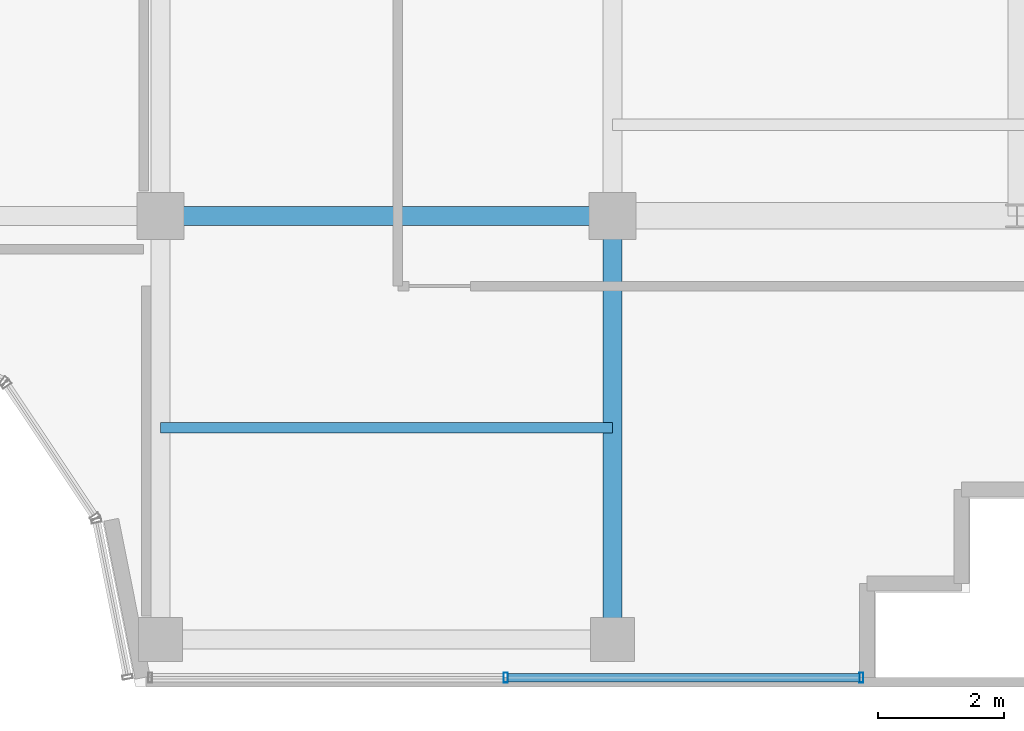
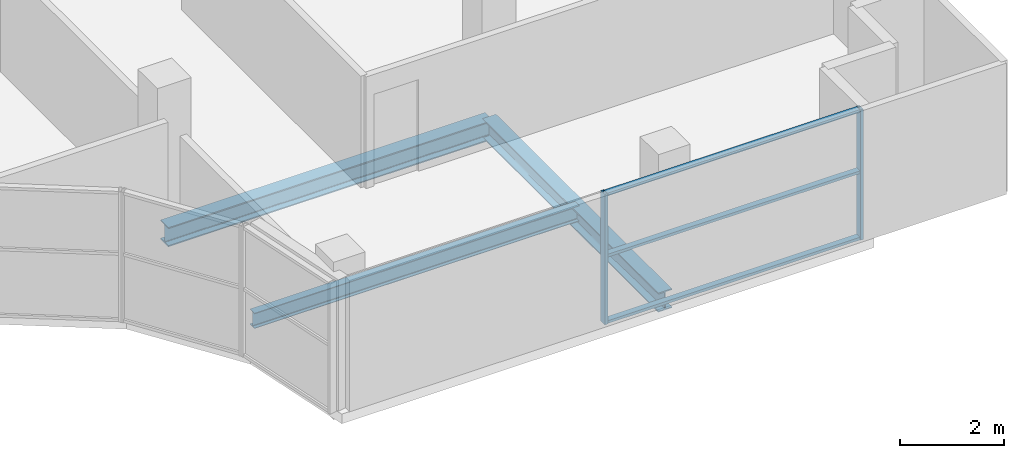
# One storey, part 13 of 29: 5 members, 3 beams, 1 element without a shape of its own.
"""IFC4 building model written with IfcOpenShell, lengths in metres."""

from ifc_helpers import new_model, si_unit, direction, frame, origin, origin_2d, place, context, subcontext, project, spatial, hollow_rectangle, i_section, extrude, source, transform, mapped, material, layer, layer_set, material_profile, profile_set, type_object, element, aggregate, save


model = new_model("IFC4")

# Units and contexts
model_context = context("Model", 3, precision=1e-05, world=origin(), true_north=direction((0.0, 1.0)))
body_context = subcontext(model_context, "Body", "Model", "MODEL_VIEW")
ifc_project = project(units=[si_unit("LENGTHUNIT", "METRE"), si_unit("AREAUNIT", "SQUARE_METRE"), si_unit("VOLUMEUNIT", "CUBIC_METRE"), si_unit("PLANEANGLEUNIT", "RADIAN"), si_unit("MASSUNIT", "GRAM", prefix="KILO")], contexts=[model_context])

# Site, building, storey
site_placement = place(None, origin())
site = spatial("IfcSite", under=ifc_project, at=site_placement, CompositionType="ELEMENT")
building_placement = place(site_placement, origin())
building = spatial("IfcBuilding", under=site, at=building_placement, Name="Zarnakvel Exchange Tower", CompositionType="ELEMENT")
storey_placement = place(building_placement, frame((0.0, 0.0, 258.39990234375)))
storey = spatial("IfcBuildingStorey", under=building, at=storey_placement, Name="L73", CompositionType="ELEMENT", Elevation=258.39990234375)

# Beams
ifc_material_1 = material(Name="Steel S355", Category="steel")
ifc_material_profile_1 = material_profile(ifc_material_1, i_section(OverallWidth=0.169921875, OverallDepth=0.360107421875, WebThickness=0.008056640625, FlangeThickness=0.0126953125, FilletRadius=0.01806640625, at=origin_2d()))
ifc_profile_set_1 = profile_set([ifc_material_profile_1], Name="Steel S355")
beam_type_1 = type_object("IfcBeamType", Name="B-07", PredefinedType="JOIST", material=ifc_profile_set_1)
beam_1_placement = place(storey_placement, frame((7.199951171875, -12.97509765625, -0.40478515625), z_axis=(1.0, 0.0, 0.0), x_axis=(0.0, 1.0, 0.0)))
element("IfcBeam", 1, at=beam_1_placement, inside=storey, type_object=beam_type_1, Name="L73 Composite Floor Secondary Joist", PredefinedType="JOIST", context=body_context, shape_type="SweptSolid", body=[
    extrude(i_section(OverallWidth=0.169921875, OverallDepth=0.360107421875, WebThickness=0.008056640625, FlangeThickness=0.0126953125, FilletRadius=0.01806640625, at=origin_2d()), origin(), (0.0, 0.0, 1.0), 7.199951171875),
])
ifc_material_profile_2 = material_profile(ifc_material_1, i_section(OverallWidth=0.300048828125, OverallDepth=0.449951171875, WebThickness=0.013916015625, FlangeThickness=0.02587890625, FilletRadius=0.027099609375, at=origin_2d()))
ifc_profile_set_2 = profile_set([ifc_material_profile_2], Name="Steel S355")
beam_type_2 = type_object("IfcBeamType", Name="G-07", PredefinedType="BEAM", material=ifc_profile_set_2)
beam_2_placement = place(storey_placement, frame((7.199951171875, -9.60009765625, -0.449951171875), z_axis=(1.0, 0.0, 0.0), x_axis=(0.0, 1.0, 0.0)))
element("IfcBeam", 2, at=beam_2_placement, inside=storey, type_object=beam_type_2, Name="L73 Tower E-W Frame Beam", PredefinedType="BEAM", context=body_context, shape_type="SweptSolid", body=[
    extrude(i_section(OverallWidth=0.300048828125, OverallDepth=0.449951171875, WebThickness=0.013916015625, FlangeThickness=0.02587890625, FilletRadius=0.027099609375, at=origin_2d()), origin(), (0.0, 0.0, 1.0), 7.199951171875),
])
beam_3_placement = place(storey_placement, frame((14.39990234375, -16.35009765625, -0.449951171875), z_axis=(0.0, 1.0, 0.0), x_axis=(-1.0, 0.0, 0.0)))
element("IfcBeam", 3, at=beam_3_placement, inside=storey, type_object=beam_type_2, Name="L73 Tower N-S Frame Beam", PredefinedType="BEAM", context=body_context, shape_type="SweptSolid", body=[
    extrude(i_section(OverallWidth=0.300048828125, OverallDepth=0.449951171875, WebThickness=0.013916015625, FlangeThickness=0.02587890625, FilletRadius=0.027099609375, at=origin_2d()), origin(), (0.0, 0.0, 1.0), 6.75),
])

# Curtain wall, members
ifc_material_2 = material(Name="Architectural Bronze Anodised Aluminium", Category="aluminium")
ifc_layer = layer(ifc_material_2, 0.159912109375)
ifc_layer_set = layer_set([ifc_layer], Name="Architectural Bronze Anodised Aluminium")
curtain_wall_type = type_object("IfcCurtainWallType", Name="CW-06", PredefinedType="NOTDEFINED", material=ifc_layer_set)
curtain_wall_placement = place(storey_placement, origin())
curtain_wall = element("IfcCurtainWall", 4, at=curtain_wall_placement, inside=storey, type_object=curtain_wall_type, Name="L73 Curtain Wall CW-L73-NSE (CW-06)", PredefinedType="NOTDEFINED")
ifc_material_profile_3 = material_profile(ifc_material_2, hollow_rectangle(XDim=0.159912109375, YDim=0.06494140625, WallThickness=0.00390625, at=origin_2d()))
ifc_profile_set_3 = profile_set([ifc_material_profile_3], Name="Architectural Bronze Anodised Aluminium")
member_type_1 = type_object("IfcMemberType", Name="CWM-06", PredefinedType="MULLION", material=ifc_profile_set_3)
shared_shape_1 = source(origin(), body_context, "Body", "SweptSolid", [
    extrude(hollow_rectangle(XDim=0.159912109375, YDim=0.06494140625, WallThickness=0.00390625, at=origin_2d()), origin(), (0.0, 0.0, 1.0), 3.05517578125),
])
member_1_placement = place(storey_placement, frame((12.699951171875, -16.9599609375, 0.0), z_axis=(0.0, 0.0, 1.0), x_axis=(0.0, 1.0, 0.0)))
member_1 = element("IfcMember", 5, at=member_1_placement, type_object=member_type_1, Name="CW-06 mullion 2", PredefinedType="MULLION", context=body_context, shape_type="MappedRepresentation", body=[
    mapped(shared_shape_1, transform((0.0, 0.0, 0.0), x_axis=(1.0, 0.0, 0.0), y_axis=(0.0, 1.0, 0.0), z_axis=(0.0, 0.0, 1.0), scale=1.0)),
])
member_2_placement = place(storey_placement, frame((18.367431640625, -16.9599609375, 0.0), z_axis=(0.0, 0.0, 1.0), x_axis=(0.0, 1.0, 0.0)))
member_2 = element("IfcMember", 6, at=member_2_placement, type_object=member_type_1, Name="CW-06 mullion 3", PredefinedType="MULLION", context=body_context, shape_type="MappedRepresentation", body=[
    mapped(shared_shape_1, transform((0.0, 0.0, 0.0), x_axis=(1.0, 0.0, 0.0), y_axis=(0.0, 1.0, 0.0), z_axis=(0.0, 0.0, 1.0), scale=1.0)),
])
ifc_material_profile_4 = material_profile(ifc_material_2, hollow_rectangle(XDim=0.1298828125, YDim=0.06494140625, WallThickness=0.00390625, at=origin_2d()))
ifc_profile_set_4 = profile_set([ifc_material_profile_4], Name="Architectural Bronze Anodised Aluminium")
member_type_2 = type_object("IfcMemberType", Name="CWT-06", PredefinedType="USERDEFINED", material=ifc_profile_set_4)
shared_shape_2 = source(origin(), body_context, "Body", "SweptSolid", [
    extrude(hollow_rectangle(XDim=0.1298828125, YDim=0.06494140625, WallThickness=0.00390625, at=origin_2d()), origin(), (0.0, 0.0, 1.0), 5.6025390625),
])
member_3_placement = place(storey_placement, frame((12.732421875, -16.9599609375, 0.03271484375), z_axis=(1.0, 0.0, 0.0), x_axis=(0.0, 1.0, 0.0)))
member_3 = element("IfcMember", 7, at=member_3_placement, type_object=member_type_2, Name="CW-06 transom 2.1", ObjectType="TRANSOM", PredefinedType="USERDEFINED", context=body_context, shape_type="MappedRepresentation", body=[
    mapped(shared_shape_2, transform((0.0, 0.0, 0.0), x_axis=(1.0, 0.0, 0.0), y_axis=(0.0, 1.0, 0.0), z_axis=(0.0, 0.0, 1.0), scale=1.0)),
])
member_4_placement = place(storey_placement, frame((12.732421875, -16.9599609375, 1.588623046875), z_axis=(1.0, 0.0, 0.0), x_axis=(0.0, 1.0, 0.0)))
member_4 = element("IfcMember", 8, at=member_4_placement, type_object=member_type_2, Name="CW-06 transom 2.2", ObjectType="TRANSOM", PredefinedType="USERDEFINED", context=body_context, shape_type="MappedRepresentation", body=[
    mapped(shared_shape_2, transform((0.0, 0.0, 0.0), x_axis=(1.0, 0.0, 0.0), y_axis=(0.0, 1.0, 0.0), z_axis=(0.0, 0.0, 1.0), scale=1.0)),
])
member_5_placement = place(storey_placement, frame((12.732421875, -16.9599609375, 3.022705078125), z_axis=(1.0, 0.0, 0.0), x_axis=(0.0, 1.0, 0.0)))
member_5 = element("IfcMember", 9, at=member_5_placement, type_object=member_type_2, Name="CW-06 transom 2.3", ObjectType="TRANSOM", PredefinedType="USERDEFINED", context=body_context, shape_type="MappedRepresentation", body=[
    mapped(shared_shape_2, transform((0.0, 0.0, 0.0), x_axis=(1.0, 0.0, 0.0), y_axis=(0.0, 1.0, 0.0), z_axis=(0.0, 0.0, 1.0), scale=1.0)),
])
aggregate(curtain_wall, [member_1, member_2, member_3, member_4, member_5])

save(model, "model.ifc")
